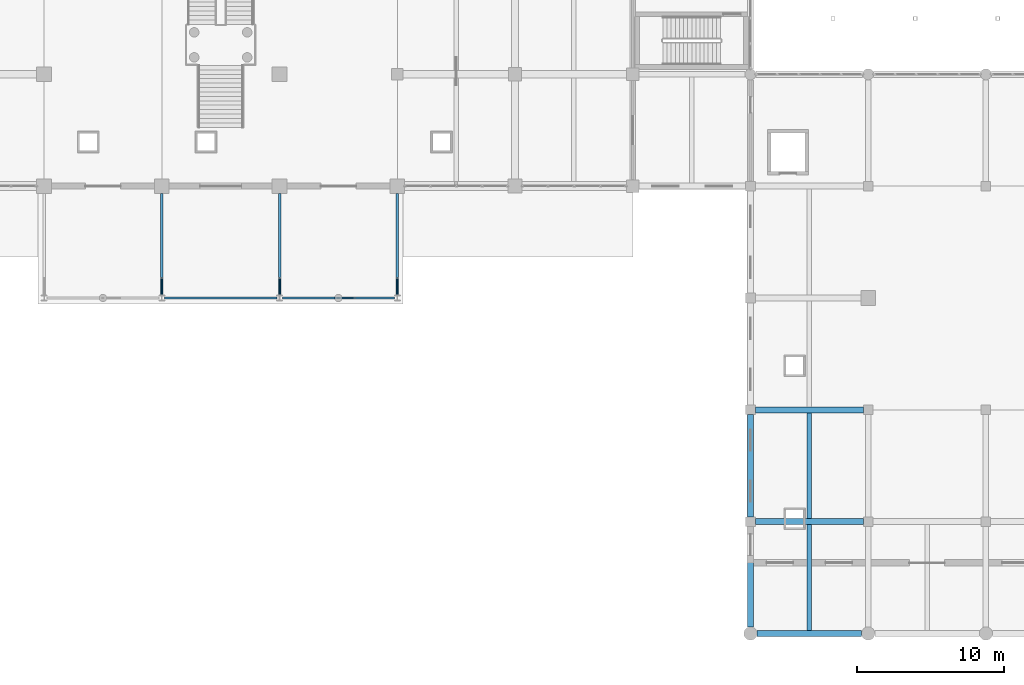
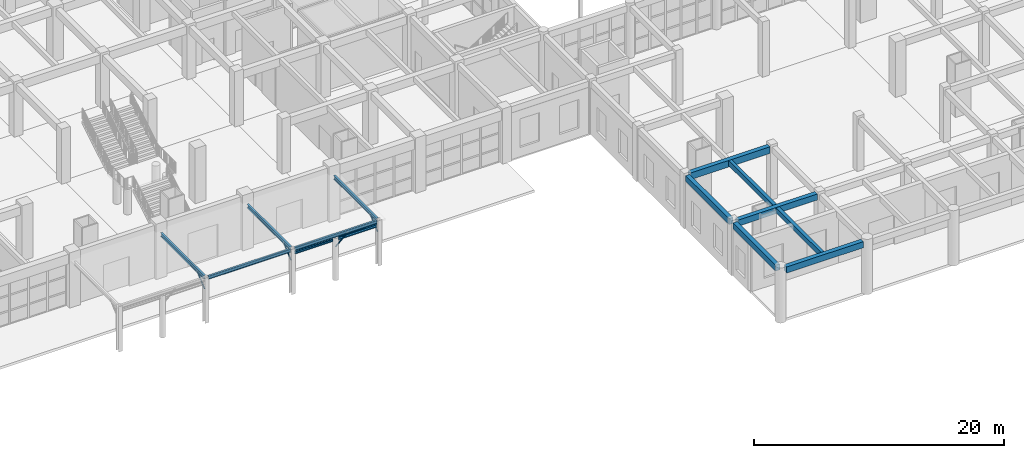
# One storey, part 30 of 95: 14 beams, 4 members.
"""IFC4 building model written with IfcOpenShell, lengths in metres."""

from ifc_helpers import new_model, si_unit, direction, frame, origin, origin_2d, place, context, subcontext, project, spatial, rectangle, hollow_circle, i_section, extrude, material, material_profile, profile_set, type_object, element, save


model = new_model("IFC4")

# Units and contexts
model_context = context("Model", 3, precision=1e-05, world=origin(), true_north=direction((0.0, 1.0)))
body_context = subcontext(model_context, "Body", "Model", "MODEL_VIEW")
ifc_project = project(units=[si_unit("LENGTHUNIT", "METRE"), si_unit("AREAUNIT", "SQUARE_METRE"), si_unit("VOLUMEUNIT", "CUBIC_METRE"), si_unit("PLANEANGLEUNIT", "RADIAN"), si_unit("MASSUNIT", "GRAM", prefix="KILO")], contexts=[model_context])

# Site, building, storey
site_placement = place(None, origin())
site = spatial("IfcSite", under=ifc_project, at=site_placement, CompositionType="ELEMENT")
building_placement = place(site_placement, origin())
building = spatial("IfcBuilding", under=site, at=building_placement, Name="Zantavel Square City Hall", CompositionType="ELEMENT")
storey_placement = place(building_placement, origin())
storey = spatial("IfcBuildingStorey", under=building, at=storey_placement, Name="L01", CompositionType="ELEMENT", Elevation=0.0)

# Beams
ifc_material_1 = material(Name="Concrete C35/45", Category="concrete")
ifc_material_profile_1 = material_profile(ifc_material_1, rectangle(XDim=0.3798828125, YDim=0.580078125, at=origin_2d()), Name="RC 380x580")
ifc_profile_set_1 = profile_set([ifc_material_profile_1], Name="Concrete C35/45")
beam_type_1 = type_object("IfcBeamType", Name="Annex Secondary Beam RC 380x580 C35/45", PredefinedType="BEAM", material=ifc_profile_set_1)
beam_1_placement = place(storey_placement, frame((120.0, 0.449951171875, 4.860107421875), z_axis=(0.0, 1.0, 0.0), x_axis=(-1.0, 0.0, 0.0)))
element("IfcBeam", 1, at=beam_1_placement, inside=storey, type_object=beam_type_1, Name="L01 Beam BMY-L01-1200-0000", PredefinedType="BEAM", context=body_context, shape_type="SweptSolid", body=[
    extrude(rectangle(XDim=0.3798828125, YDim=0.580078125, at=origin_2d()), origin(), (0.0, 0.0, 1.0), 6.824951171875),
])
beam_2_placement = place(storey_placement, frame((120.0, 7.925048828125, 4.8701171875), z_axis=(0.0, 1.0, 0.0), x_axis=(-1.0, 0.0, 0.0)))
element("IfcBeam", 2, at=beam_2_placement, inside=storey, type_object=beam_type_1, Name="L01 Beam BMY-L01-1200-0076", PredefinedType="BEAM", context=body_context, shape_type="SweptSolid", body=[
    extrude(rectangle(XDim=0.3798828125, YDim=0.580078125, at=origin_2d()), origin(), (0.0, 0.0, 1.0), 6.949951171875),
])
ifc_material_2 = material(Name="Steel ASTM A992 Grade 50", Category="steel")
ifc_material_profile_2 = material_profile(ifc_material_2, i_section(OverallWidth=0.1708984375, OverallDepth=0.35498046875, WebThickness=0.007080078125, FlangeThickness=0.01171875, at=origin_2d()), Name="W360x51")
ifc_profile_set_2 = profile_set([ifc_material_profile_2], Name="Steel ASTM A992 Grade 50")
beam_type_2 = type_object("IfcBeamType", Name="Canopy Main Girder W360x51", PredefinedType="BEAM", material=ifc_profile_set_2)
for number, where, z_axis, x_axis, name in (
    (3, (80.0, 22.989990234375, 4.262451171875), (0.0, 1.0, 0.0), (-1.0, 0.0, 0.0), "Canopy Girder NS 80"),
    (4, (88.0, 22.989990234375, 4.262451171875), (0.0, 1.0, 0.0), (-1.0, 0.0, 0.0), "Canopy Girder NS 88"),
    (5, (96.0, 22.989990234375, 4.262451171875), (0.0, 1.0, 0.0), (-1.0, 0.0, 0.0), "Canopy Girder NS 96"),
):
    element("IfcBeam", number, at=place(storey_placement, frame(where, z_axis=z_axis, x_axis=x_axis)), inside=storey, type_object=beam_type_2, Name=name, PredefinedType="BEAM", context=body_context, shape_type="SweptSolid", body=[
        extrude(i_section(OverallWidth=0.1708984375, OverallDepth=0.35498046875, WebThickness=0.007080078125, FlangeThickness=0.01171875, at=origin_2d()), origin(), (0.0, 0.0, 1.0), 6.909912109375),
    ])
ifc_material_profile_3 = material_profile(ifc_material_2, i_section(OverallWidth=0.166015625, OverallDepth=0.31298828125, WebThickness=0.006591796875, FlangeThickness=0.01123046875, at=origin_2d()), Name="W310x45")
ifc_profile_set_3 = profile_set([ifc_material_profile_3], Name="Steel ASTM A992 Grade 50")
beam_type_3 = type_object("IfcBeamType", Name="Canopy Secondary Joist W310x45", PredefinedType="JOIST", material=ifc_profile_set_3)
for number, where, z_axis, x_axis, name in (
    (6, (80.18994140625, 22.800048828125, 4.283447265625), (1.0, 0.0, 0.0), (0.0, 1.0, 0.0), "Canopy Front Beam 80-88"),
    (7, (88.18994140625, 22.800048828125, 4.283447265625), (1.0, 0.0, 0.0), (0.0, 1.0, 0.0), "Canopy Front Beam 88-96"),
):
    element("IfcBeam", number, at=place(storey_placement, frame(where, z_axis=z_axis, x_axis=x_axis)), inside=storey, type_object=beam_type_3, Name=name, PredefinedType="JOIST", context=body_context, shape_type="SweptSolid", body=[
        extrude(i_section(OverallWidth=0.166015625, OverallDepth=0.31298828125, WebThickness=0.006591796875, FlangeThickness=0.01123046875, at=origin_2d()), origin(), (0.0, 0.0, 1.0), 7.6201171875),
    ])

# Members
ifc_material_3 = material(Name="Steel ASTM A500 Grade B", Category="steel")
ifc_material_profile_4 = material_profile(ifc_material_3, hollow_circle(Radius=0.05712890625, WallThickness=0.006103515625, at=origin_2d()), Name="CHS 114.3x6.0")
ifc_profile_set_4 = profile_set([ifc_material_profile_4], Name="Steel ASTM A500 Grade B")
member_type = type_object("IfcMemberType", Name="Canopy Tie Strut CHS 114.3x6.0", PredefinedType="STRUT", material=ifc_profile_set_4)
for number, where, z_axis, x_axis, name in (
    (8, (80.0, 22.989990234375, 3.10009765625), (0.0, 0.749372767205, 0.662148363866), (-1.0, 0.0, 0.0), "Canopy Knee Brace Strut 80"),
    (9, (88.0, 22.989990234375, 3.10009765625), (0.0, 0.749372767205, 0.662148363866), (-1.0, 0.0, 0.0), "Canopy Knee Brace Strut 88"),
    (10, (96.0, 22.989990234375, 3.10009765625), (0.0, 0.749372767205, 0.662148363866), (-1.0, 0.0, 0.0), "Canopy Knee Brace Strut 96"),
):
    element("IfcMember", number, at=place(storey_placement, frame(where, z_axis=z_axis, x_axis=x_axis)), inside=storey, type_object=member_type, Name=name, PredefinedType="STRUT", context=body_context, shape_type="SweptSolid", body=[
        extrude(hollow_circle(Radius=0.05712890625, WallThickness=0.006103515625, at=origin_2d()), origin(), (0.0, 0.0, 1.0), 1.5478515625),
    ])
member_placement = place(storey_placement, frame((92.0, 22.800048828125, 3.14990234375), z_axis=(0.737602435988, 0.0, 0.675235252652), x_axis=(0.0, 1.0, 0.0)))
element("IfcMember", 11, at=member_placement, inside=storey, type_object=member_type, Name="Portico Knee Strut 92", PredefinedType="STRUT", context=body_context, shape_type="SweptSolid", body=[
    extrude(hollow_circle(Radius=0.05712890625, WallThickness=0.006103515625, at=origin_2d()), origin(), (0.0, 0.0, 1.0), 1.491455078125),
])

# Beams
ifc_material_profile_5 = material_profile(ifc_material_2, i_section(OverallWidth=0.133056640625, OverallDepth=0.20703125, WebThickness=0.005859375, FlangeThickness=0.00830078125, at=origin_2d()), Name="W200x27")
ifc_profile_set_5 = profile_set([ifc_material_profile_5], Name="Steel ASTM A992 Grade 50")
beam_type_4 = type_object("IfcBeamType", Name="Canopy Trim Beam W200x27", PredefinedType="BEAM", material=ifc_profile_set_5)
beam_3_placement = place(storey_placement, frame((88.199951171875, 22.800048828125, 3.889892578125), z_axis=(1.0, 0.0, 0.0), x_axis=(0.0, 1.0, 0.0)))
element("IfcBeam", 12, at=beam_3_placement, inside=storey, type_object=beam_type_4, Name="Canopy Edge Trim Beam 92", PredefinedType="BEAM", context=body_context, shape_type="SweptSolid", body=[
    extrude(i_section(OverallWidth=0.133056640625, OverallDepth=0.20703125, WebThickness=0.005859375, FlangeThickness=0.00830078125, at=origin_2d()), origin(), (0.0, 0.0, 1.0), 3.550048828125),
])
ifc_material_profile_6 = material_profile(ifc_material_1, rectangle(XDim=0.300048828125, YDim=0.5, at=origin_2d()), Name="RC 300x500")
ifc_profile_set_6 = profile_set([ifc_material_profile_6], Name="Concrete C35/45")
beam_type_5 = type_object("IfcBeamType", Name="Floor Joist RC 300x500 C35/45", PredefinedType="JOIST", material=ifc_profile_set_6)
for number, where, z_axis, x_axis, name in (
    (13, (124.0, 0.199951171875, 4.89990234375), (0.0, 1.0, 0.0), (-1.0, 0.0, 0.0), "L01 Floor Joist JST-L01-1240-0000"),
    (14, (124.0, 7.800048828125, 4.909912109375), (0.0, 1.0, 0.0), (-1.0, 0.0, 0.0), "L01 Floor Joist JST-L01-1240-0076"),
):
    element("IfcBeam", number, at=place(storey_placement, frame(where, z_axis=z_axis, x_axis=x_axis)), inside=storey, type_object=beam_type_5, Name=name, PredefinedType="JOIST", context=body_context, shape_type="SweptSolid", body=[
        extrude(rectangle(XDim=0.300048828125, YDim=0.5, at=origin_2d()), origin(), (0.0, 0.0, 1.0), 7.199951171875),
    ])
ifc_material_profile_7 = material_profile(ifc_material_1, rectangle(XDim=0.39990234375, YDim=0.64990234375, at=origin_2d()), Name="RC 400x650")
ifc_profile_set_7 = profile_set([ifc_material_profile_7], Name="Concrete C35/45")
beam_type_6 = type_object("IfcBeamType", Name="Frame Beam RC 400x650 C35/45", PredefinedType="BEAM", material=ifc_profile_set_7)
beam_4_placement = place(storey_placement, frame((120.324951171875, 15.199951171875, 4.8349609375), z_axis=(1.0, 0.0, 0.0), x_axis=(0.0, 1.0, 0.0)))
element("IfcBeam", 15, at=beam_4_placement, inside=storey, type_object=beam_type_6, Name="L01 Girder BMX-L01-1200-0152", PredefinedType="BEAM", context=body_context, shape_type="SweptSolid", body=[
    extrude(rectangle(XDim=0.39990234375, YDim=0.64990234375, at=origin_2d()), origin(), (0.0, 0.0, 1.0), 7.35009765625),
])
ifc_material_profile_8 = material_profile(ifc_material_1, rectangle(XDim=0.39990234375, YDim=0.60009765625, at=origin_2d()), Name="RC 400x600")
ifc_profile_set_8 = profile_set([ifc_material_profile_8], Name="Concrete C35/45")
beam_type_7 = type_object("IfcBeamType", Name="Perimeter Spandrel RC 400x600 C35/45", PredefinedType="SPANDREL", material=ifc_profile_set_8)
beam_5_placement = place(storey_placement, frame((120.449951171875, 0.0, 4.85009765625), z_axis=(1.0, 0.0, 0.0), x_axis=(0.0, 1.0, 0.0)))
element("IfcBeam", 16, at=beam_5_placement, inside=storey, type_object=beam_type_7, Name="L01 Girder BMX-L01-1200-0000", PredefinedType="SPANDREL", context=body_context, shape_type="SweptSolid", body=[
    extrude(rectangle(XDim=0.39990234375, YDim=0.60009765625, at=origin_2d()), origin(), (0.0, 0.0, 1.0), 7.10009765625),
])
beam_6_placement = place(storey_placement, frame((120.324951171875, 7.60009765625, 4.860107421875), z_axis=(1.0, 0.0, 0.0), x_axis=(0.0, 1.0, 0.0)))
element("IfcBeam", 17, at=beam_6_placement, inside=storey, type_object=beam_type_7, Name="L01 Girder BMX-L01-1200-0076", PredefinedType="SPANDREL", context=body_context, shape_type="SweptSolid", body=[
    extrude(rectangle(XDim=0.39990234375, YDim=0.60009765625, at=origin_2d()), origin(), (0.0, 0.0, 1.0), 7.35009765625),
])
ifc_material_profile_9 = material_profile(ifc_material_2, i_section(OverallWidth=0.14599609375, OverallDepth=0.258056640625, WebThickness=0.006103515625, FlangeThickness=0.009033203125, at=origin_2d()), Name="W250x33")
ifc_profile_set_9 = profile_set([ifc_material_profile_9], Name="Steel ASTM A992 Grade 50")
beam_type_8 = type_object("IfcBeamType", Name="Terrace Stair Stringer W250x33", PredefinedType="BEAM", material=ifc_profile_set_9)
beam_7_placement = place(storey_placement, frame((92.25, 22.800048828125, 3.889892578125), z_axis=(1.0, 0.0, 0.0), x_axis=(0.0, 1.0, 0.0)))
element("IfcBeam", 18, at=beam_7_placement, inside=storey, type_object=beam_type_8, Name="Canopy Portico Fascia Beam 92", PredefinedType="BEAM", context=body_context, shape_type="SweptSolid", body=[
    extrude(i_section(OverallWidth=0.14599609375, OverallDepth=0.258056640625, WebThickness=0.006103515625, FlangeThickness=0.009033203125, at=origin_2d()), origin(), (0.0, 0.0, 1.0), 3.550048828125),
])

save(model, "model.ifc")
